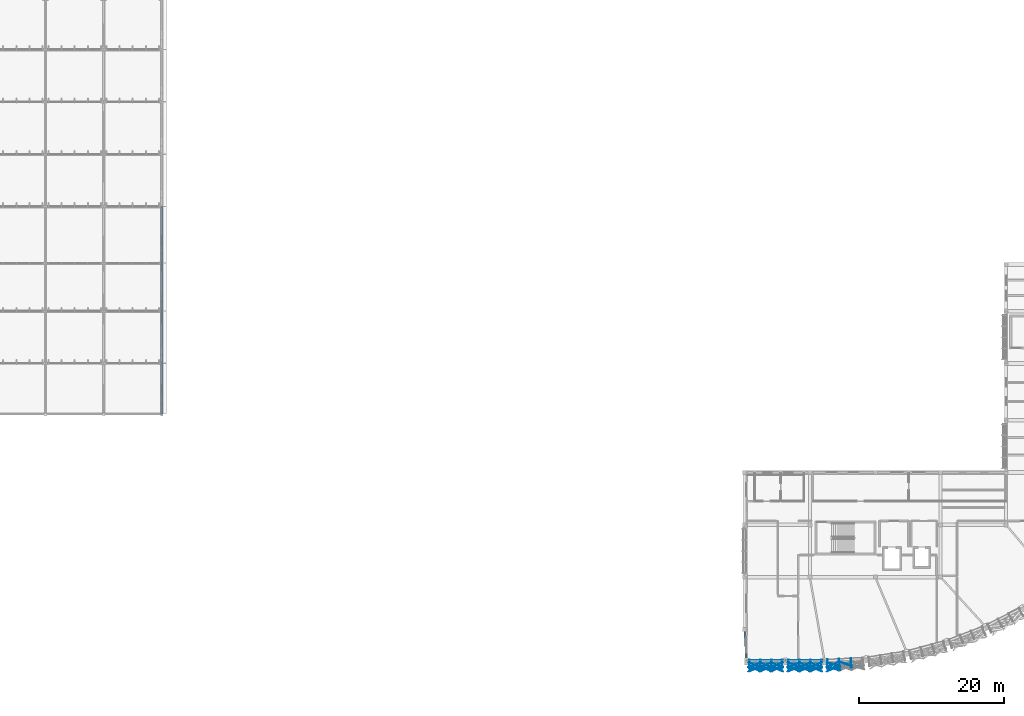
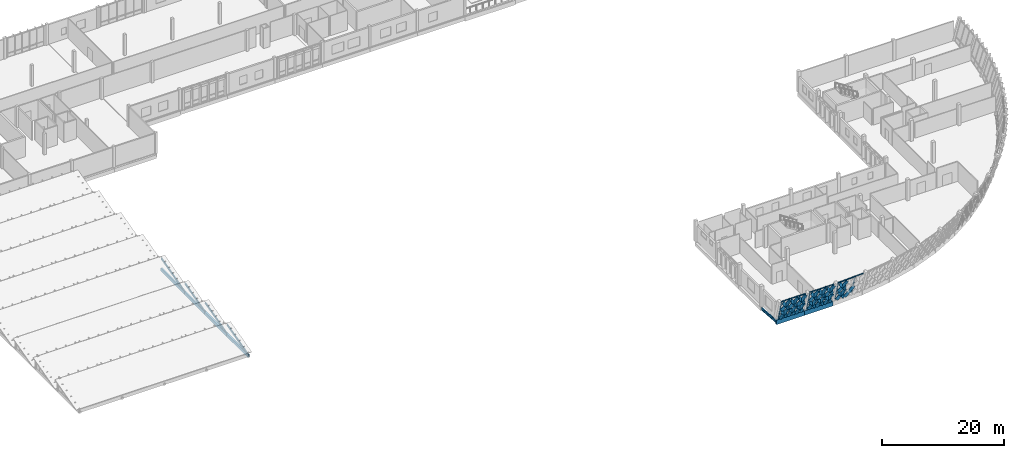
# One storey, part 20 of 94: 55 members, 3 beams, 3 elements without a shape of their own.
"""IFC4 building model written with IfcOpenShell, lengths in metres."""

from ifc_helpers import new_model, si_unit, direction, frame, origin, origin_2d, place, context, subcontext, project, spatial, rectangle, hollow_rectangle, i_section, extrude, material, material_profile, profile_set, type_object, element, aggregate, save


model = new_model("IFC4")

# Units and contexts
model_context = context("Model", 3, precision=1e-05, world=origin(), true_north=direction((0.0, 1.0)))
body_context = subcontext(model_context, "Body", "Model", "MODEL_VIEW")
ifc_project = project(units=[si_unit("LENGTHUNIT", "METRE"), si_unit("AREAUNIT", "SQUARE_METRE"), si_unit("VOLUMEUNIT", "CUBIC_METRE"), si_unit("PLANEANGLEUNIT", "RADIAN"), si_unit("MASSUNIT", "GRAM", prefix="KILO")], contexts=[model_context])

# Site, building, storey
site_placement = place(None, origin())
site = spatial("IfcSite", under=ifc_project, at=site_placement, CompositionType="ELEMENT")
building_placement = place(site_placement, origin())
building = spatial("IfcBuilding", under=site, at=building_placement, Name="Chiffa Square Polytechnic", CompositionType="ELEMENT")
storey_placement = place(building_placement, frame((0.0, 0.0, 18.0)))
storey = spatial("IfcBuildingStorey", under=building, at=storey_placement, Name="L04", CompositionType="ELEMENT", Elevation=18.0)

# Beam
ifc_material_1 = material(Name="Steel S355", Category="steel")
ifc_material_profile_1 = material_profile(ifc_material_1, i_section(OverallWidth=0.199951171875, OverallDepth=0.5, WebThickness=0.01025390625, FlangeThickness=0.01611328125, FilletRadius=0.02099609375, at=origin_2d()), Name="IPE 500")
ifc_profile_set_1 = profile_set([ifc_material_profile_1], Name="Steel S355")
beam_type_1 = type_object("IfcBeamType", Name="BM-STL-IPE500", PredefinedType="BEAM", material=ifc_profile_set_1)
beam_placement = place(storey_placement, frame((112.449951171875, 2.972900390625, -0.489990234375), z_axis=(-0.059039723308, 0.99825563413, 0.0), x_axis=(-0.99825563413, -0.059039723308, 0.0)))
element("IfcBeam", 1, at=beam_placement, inside=storey, type_object=beam_type_1, Name="Prow radial tie girder BM-V1-RAD-L04-01", PredefinedType="BEAM", context=body_context, shape_type="SweptSolid", body=[
    extrude(i_section(OverallWidth=0.199951171875, OverallDepth=0.5, WebThickness=0.01025390625, FlangeThickness=0.01611328125, FilletRadius=0.02099609375, at=origin_2d()), origin(), (0.0, 0.0, 1.0), 4.234375),
])

# Curtain wall, members
ifc_material_2 = material(Name="Aluminium EN AW-6060 T66 and glulam shading", Category="wood")
curtain_wall_type_1 = type_object("IfcCurtainWallType", Name="CW-PROW-LEAN-150", PredefinedType="USERDEFINED", material=ifc_material_2)
curtain_wall_1_placement = place(storey_placement, origin())
curtain_wall_1 = element("IfcCurtainWall", 2, at=curtain_wall_1_placement, inside=storey, type_object=curtain_wall_type_1, Name="Outward-leaning diamond-fin prow curtain wall CW-V1-L04-061", ObjectType="CURTAIN WALL", PredefinedType="USERDEFINED")
ifc_material_3 = material(Name="Aluminium EN AW-6060 T66", Category="aluminium")
ifc_material_profile_2 = material_profile(ifc_material_3, hollow_rectangle(XDim=0.06494140625, YDim=0.179931640625, WallThickness=0.00390625, at=origin_2d()), Name="ALU 65x180x4")
ifc_profile_set_2 = profile_set([ifc_material_profile_2], Name="Aluminium EN AW-6060 T66")
member_type_1 = type_object("IfcMemberType", Name="CWM-ALU-75X180", PredefinedType="MULLION", material=ifc_profile_set_2)
member_1_placement = place(storey_placement, frame((112.8798828125, 2.972900390625, 0.0), z_axis=(0.0, -0.272302676243, 0.962211646422), x_axis=(1.0, 0.0, 0.0)))
member_1 = element("IfcMember", 3, at=member_1_placement, type_object=member_type_1, Name="Leaning prow mullion CW-V1-L04-061-M00", PredefinedType="MULLION", context=body_context, shape_type="SweptSolid", body=[
    extrude(hollow_rectangle(XDim=0.06494140625, YDim=0.179931640625, WallThickness=0.00390625, at=origin_2d()), origin(), (0.0, 0.0, 1.0), 4.0947265625),
])
member_2_placement = place(storey_placement, frame((114.385009765625, 2.972900390625, 0.0), z_axis=(0.0, -0.272302676243, 0.962211646422), x_axis=(1.0, 0.0, 0.0)))
member_2 = element("IfcMember", 4, at=member_2_placement, type_object=member_type_1, Name="Leaning prow mullion CW-V1-L04-061-M01", PredefinedType="MULLION", context=body_context, shape_type="SweptSolid", body=[
    extrude(hollow_rectangle(XDim=0.06494140625, YDim=0.179931640625, WallThickness=0.00390625, at=origin_2d()), origin(), (0.0, 0.0, 1.0), 4.0947265625),
])
member_3_placement = place(storey_placement, frame((115.889892578125, 2.972900390625, 0.0), z_axis=(0.0, -0.272302676243, 0.962211646422), x_axis=(1.0, 0.0, 0.0)))
member_3 = element("IfcMember", 5, at=member_3_placement, type_object=member_type_1, Name="Leaning prow mullion CW-V1-L04-061-M02", PredefinedType="MULLION", context=body_context, shape_type="SweptSolid", body=[
    extrude(hollow_rectangle(XDim=0.06494140625, YDim=0.179931640625, WallThickness=0.00390625, at=origin_2d()), origin(), (0.0, 0.0, 1.0), 4.0947265625),
])
member_4_placement = place(storey_placement, frame((117.39501953125, 2.972900390625, 0.0), z_axis=(0.0, -0.272302676243, 0.962211646422), x_axis=(1.0, 0.0, 0.0)))
member_4 = element("IfcMember", 6, at=member_4_placement, type_object=member_type_1, Name="Leaning prow mullion CW-V1-L04-061-M03", PredefinedType="MULLION", context=body_context, shape_type="SweptSolid", body=[
    extrude(hollow_rectangle(XDim=0.06494140625, YDim=0.179931640625, WallThickness=0.00390625, at=origin_2d()), origin(), (0.0, 0.0, 1.0), 4.0947265625),
])

curtain_wall_type_2 = type_object("IfcCurtainWallType", Name="CW-PROW-LEAN-300", PredefinedType="USERDEFINED", material=ifc_material_2)
curtain_wall_2_placement = place(storey_placement, origin())
curtain_wall_2 = element("IfcCurtainWall", 7, at=curtain_wall_2_placement, inside=storey, type_object=curtain_wall_type_2, Name="Outward-leaning diamond-fin prow curtain wall CW-V1-L04-062", ObjectType="CURTAIN WALL", PredefinedType="USERDEFINED")
member_5_placement = place(storey_placement, frame((118.2548828125, 2.972900390625, 0.0), z_axis=(0.0, -0.272302676243, 0.962211646422), x_axis=(1.0, 0.0, 0.0)))
member_5 = element("IfcMember", 8, at=member_5_placement, type_object=member_type_1, Name="Leaning prow mullion CW-V1-L04-062-M00", PredefinedType="MULLION", context=body_context, shape_type="SweptSolid", body=[
    extrude(hollow_rectangle(XDim=0.06494140625, YDim=0.179931640625, WallThickness=0.00390625, at=origin_2d()), origin(), (0.0, 0.0, 1.0), 4.0947265625),
])
member_6_placement = place(storey_placement, frame((119.760009765625, 2.972900390625, 0.0), z_axis=(0.0, -0.272302676243, 0.962211646422), x_axis=(1.0, 0.0, 0.0)))
member_6 = element("IfcMember", 9, at=member_6_placement, type_object=member_type_1, Name="Leaning prow mullion CW-V1-L04-062-M01", PredefinedType="MULLION", context=body_context, shape_type="SweptSolid", body=[
    extrude(hollow_rectangle(XDim=0.06494140625, YDim=0.179931640625, WallThickness=0.00390625, at=origin_2d()), origin(), (0.0, 0.0, 1.0), 4.0947265625),
])
member_7_placement = place(storey_placement, frame((121.264892578125, 2.972900390625, 0.0), z_axis=(0.0, -0.272302676243, 0.962211646422), x_axis=(1.0, 0.0, 0.0)))
member_7 = element("IfcMember", 10, at=member_7_placement, type_object=member_type_1, Name="Leaning prow mullion CW-V1-L04-062-M02", PredefinedType="MULLION", context=body_context, shape_type="SweptSolid", body=[
    extrude(hollow_rectangle(XDim=0.06494140625, YDim=0.179931640625, WallThickness=0.00390625, at=origin_2d()), origin(), (0.0, 0.0, 1.0), 4.0947265625),
])
member_8_placement = place(storey_placement, frame((122.77001953125, 2.972900390625, 0.0), z_axis=(0.0, -0.272302676243, 0.962211646422), x_axis=(1.0, 0.0, 0.0)))
member_8 = element("IfcMember", 11, at=member_8_placement, type_object=member_type_1, Name="Leaning prow mullion CW-V1-L04-062-M03", PredefinedType="MULLION", context=body_context, shape_type="SweptSolid", body=[
    extrude(hollow_rectangle(XDim=0.06494140625, YDim=0.179931640625, WallThickness=0.00390625, at=origin_2d()), origin(), (0.0, 0.0, 1.0), 4.0947265625),
])

curtain_wall_3_placement = place(storey_placement, origin())
curtain_wall_3 = element("IfcCurtainWall", 12, at=curtain_wall_3_placement, inside=storey, type_object=curtain_wall_type_1, Name="Outward-leaning diamond-fin prow curtain wall CW-V1-L04-063", ObjectType="CURTAIN WALL", PredefinedType="USERDEFINED")
member_9_placement = place(storey_placement, frame((123.62890625, 2.99609375, 0.0), z_axis=(0.0, -0.272302676243, 0.962211646422), x_axis=(1.0, 0.0, 0.0)))
member_9 = element("IfcMember", 13, at=member_9_placement, type_object=member_type_1, Name="Leaning prow mullion CW-V1-L04-063-M00", PredefinedType="MULLION", context=body_context, shape_type="SweptSolid", body=[
    extrude(hollow_rectangle(XDim=0.06494140625, YDim=0.179931640625, WallThickness=0.00390625, at=origin_2d()), origin(), (0.0, 0.0, 1.0), 4.0947265625),
])
member_10_placement = place(storey_placement, frame((125.23779296875, 3.080078125, 0.0), z_axis=(0.00942139205, -0.271848900992, 0.962293828517), x_axis=(0.999399996216, 0.034635928801, 0.0)))
member_10 = element("IfcMember", 14, at=member_10_placement, type_object=member_type_1, Name="Leaning prow mullion CW-V1-L04-063-M01", PredefinedType="MULLION", context=body_context, shape_type="SweptSolid", body=[
    extrude(hollow_rectangle(XDim=0.06494140625, YDim=0.179931640625, WallThickness=0.00390625, at=origin_2d()), origin(), (0.0, 0.0, 1.0), 4.09423828125),
])
member_11_placement = place(storey_placement, frame((126.84619140625, 3.1640625, 0.0), z_axis=(0.018902324279, -0.271370592416, 0.962289303541), x_axis=(0.997582881059, 0.069486656404, 0.0)))
member_11 = element("IfcMember", 15, at=member_11_placement, type_object=member_type_1, Name="Leaning prow mullion CW-V1-L04-063-M02", PredefinedType="MULLION", context=body_context, shape_type="SweptSolid", body=[
    extrude(hollow_rectangle(XDim=0.06494140625, YDim=0.179931640625, WallThickness=0.00390625, at=origin_2d()), origin(), (0.0, 0.0, 1.0), 4.09423828125),
])

# Member
ifc_material_4 = material(Name="Glulam GL28h", Category="wood")
ifc_material_profile_3 = material_profile(ifc_material_4, rectangle(XDim=0.080078125, YDim=0.580078125, at=origin_2d()), Name="GL28h 80x580")
ifc_profile_set_3 = profile_set([ifc_material_profile_3], Name="Glulam GL28h")
member_type_2 = type_object("IfcMemberType", Name="CWM-GL-80X580", PredefinedType="MULLION", material=ifc_profile_set_3)
member_12_placement = place(storey_placement, frame((112.962890625, 2.5869140625, 0.0400390625), z_axis=(0.555277016015, -0.226362699692, 0.800267057721), x_axis=(0.377495299049, 0.926011500574, 0.0)))
member_12 = element("IfcMember", 16, at=member_12_placement, type_object=member_type_2, Name="Diamond glulam fin CW-V1-L04-061-DF01A", PredefinedType="MULLION", context=body_context, shape_type="SweptSolid", body=[
    extrude(rectangle(XDim=0.080078125, YDim=0.580078125, at=origin_2d()), origin(), (0.0, 0.0, 1.0), 2.41162109375),
])

member_13_placement = place(storey_placement, frame((114.302001953125, 2.5869140625, 0.0400390625), z_axis=(-0.555277016015, -0.226362699692, 0.800267057721), x_axis=(0.377495299049, -0.926011500574, 0.0)))
member_13 = element("IfcMember", 17, at=member_13_placement, type_object=member_type_2, Name="Diamond glulam fin CW-V1-L04-061-DF01B", PredefinedType="MULLION", context=body_context, shape_type="SweptSolid", body=[
    extrude(rectangle(XDim=0.080078125, YDim=0.580078125, at=origin_2d()), origin(), (0.0, 0.0, 1.0), 2.41162109375),
])

member_14_placement = place(storey_placement, frame((112.962890625, 2.041015625, 1.969970703125), z_axis=(0.555213332326, -0.226842858294, 0.800175276579), x_axis=(0.378218792883, 0.925716233362, 0.0)))
member_14 = element("IfcMember", 18, at=member_14_placement, type_object=member_type_2, Name="Diamond glulam fin CW-V1-L04-061-DF02A", PredefinedType="MULLION", context=body_context, shape_type="SweptSolid", body=[
    extrude(rectangle(XDim=0.080078125, YDim=0.580078125, at=origin_2d()), origin(), (0.0, 0.0, 1.0), 2.411865234375),
])

member_15_placement = place(storey_placement, frame((114.302001953125, 2.041015625, 1.969970703125), z_axis=(-0.555213332326, -0.226842858294, 0.800175276579), x_axis=(0.378218792883, -0.925716233362, 0.0)))
member_15 = element("IfcMember", 19, at=member_15_placement, type_object=member_type_2, Name="Diamond glulam fin CW-V1-L04-061-DF02B", PredefinedType="MULLION", context=body_context, shape_type="SweptSolid", body=[
    extrude(rectangle(XDim=0.080078125, YDim=0.580078125, at=origin_2d()), origin(), (0.0, 0.0, 1.0), 2.411865234375),
])

member_16_placement = place(storey_placement, frame((114.468017578125, 2.5869140625, 0.0400390625), z_axis=(0.555206988774, -0.226375424307, 0.800312043447), x_axis=(0.377554323225, 0.925987436747, 0.0)))
member_16 = element("IfcMember", 20, at=member_16_placement, type_object=member_type_2, Name="Diamond glulam fin CW-V1-L04-061-DF03A", PredefinedType="MULLION", context=body_context, shape_type="SweptSolid", body=[
    extrude(rectangle(XDim=0.080078125, YDim=0.580078125, at=origin_2d()), origin(), (0.0, 0.0, 1.0), 2.411376953125),
])

member_17_placement = place(storey_placement, frame((115.806884765625, 2.5869140625, 0.0400390625), z_axis=(-0.555206988774, -0.226375424307, 0.800312043447), x_axis=(0.377554323225, -0.925987436747, 0.0)))
member_17 = element("IfcMember", 21, at=member_17_placement, type_object=member_type_2, Name="Diamond glulam fin CW-V1-L04-061-DF03B", PredefinedType="MULLION", context=body_context, shape_type="SweptSolid", body=[
    extrude(rectangle(XDim=0.080078125, YDim=0.580078125, at=origin_2d()), origin(), (0.0, 0.0, 1.0), 2.411376953125),
])

member_18_placement = place(storey_placement, frame((114.468017578125, 2.041015625, 1.969970703125), z_axis=(0.555143305959, -0.226855606975, 0.800220246828), x_axis=(0.378277892467, 0.925692084913, 0.0)))
member_18 = element("IfcMember", 22, at=member_18_placement, type_object=member_type_2, Name="Diamond glulam fin CW-V1-L04-061-DF04A", PredefinedType="MULLION", context=body_context, shape_type="SweptSolid", body=[
    extrude(rectangle(XDim=0.080078125, YDim=0.580078125, at=origin_2d()), origin(), (0.0, 0.0, 1.0), 2.411865234375),
])

member_19_placement = place(storey_placement, frame((115.806884765625, 2.041015625, 1.969970703125), z_axis=(-0.555143305959, -0.226855606975, 0.800220246828), x_axis=(0.378277892467, -0.925692084913, 0.0)))
member_19 = element("IfcMember", 23, at=member_19_placement, type_object=member_type_2, Name="Diamond glulam fin CW-V1-L04-061-DF04B", PredefinedType="MULLION", context=body_context, shape_type="SweptSolid", body=[
    extrude(rectangle(XDim=0.080078125, YDim=0.580078125, at=origin_2d()), origin(), (0.0, 0.0, 1.0), 2.411865234375),
])

member_20_placement = place(storey_placement, frame((115.972900390625, 2.5869140625, 0.0400390625), z_axis=(0.555277016015, -0.226362699692, 0.800267057721), x_axis=(0.377495299049, 0.926011500574, 0.0)))
member_20 = element("IfcMember", 24, at=member_20_placement, type_object=member_type_2, Name="Diamond glulam fin CW-V1-L04-061-DF05A", PredefinedType="MULLION", context=body_context, shape_type="SweptSolid", body=[
    extrude(rectangle(XDim=0.080078125, YDim=0.580078125, at=origin_2d()), origin(), (0.0, 0.0, 1.0), 2.41162109375),
])

member_21_placement = place(storey_placement, frame((117.31201171875, 2.5869140625, 0.0400390625), z_axis=(-0.555277016015, -0.226362699692, 0.800267057721), x_axis=(0.377495299049, -0.926011500574, 0.0)))
member_21 = element("IfcMember", 25, at=member_21_placement, type_object=member_type_2, Name="Diamond glulam fin CW-V1-L04-061-DF05B", PredefinedType="MULLION", context=body_context, shape_type="SweptSolid", body=[
    extrude(rectangle(XDim=0.080078125, YDim=0.580078125, at=origin_2d()), origin(), (0.0, 0.0, 1.0), 2.41162109375),
])

member_22_placement = place(storey_placement, frame((115.972900390625, 2.041015625, 1.969970703125), z_axis=(0.555213332326, -0.226842858294, 0.800175276579), x_axis=(0.378218792883, 0.925716233362, 0.0)))
member_22 = element("IfcMember", 26, at=member_22_placement, type_object=member_type_2, Name="Diamond glulam fin CW-V1-L04-061-DF06A", PredefinedType="MULLION", context=body_context, shape_type="SweptSolid", body=[
    extrude(rectangle(XDim=0.080078125, YDim=0.580078125, at=origin_2d()), origin(), (0.0, 0.0, 1.0), 2.411865234375),
])

member_23_placement = place(storey_placement, frame((117.31201171875, 2.041015625, 1.969970703125), z_axis=(-0.555213332326, -0.226842858294, 0.800175276579), x_axis=(0.378218792883, -0.925716233362, 0.0)))
member_23 = element("IfcMember", 27, at=member_23_placement, type_object=member_type_2, Name="Diamond glulam fin CW-V1-L04-061-DF06B", PredefinedType="MULLION", context=body_context, shape_type="SweptSolid", body=[
    extrude(rectangle(XDim=0.080078125, YDim=0.580078125, at=origin_2d()), origin(), (0.0, 0.0, 1.0), 2.411865234375),
])

member_24_placement = place(storey_placement, frame((118.337890625, 2.5869140625, 0.0400390625), z_axis=(0.555277016015, -0.226362699692, 0.800267057721), x_axis=(0.377495299049, 0.926011500574, 0.0)))
member_24 = element("IfcMember", 28, at=member_24_placement, type_object=member_type_2, Name="Diamond glulam fin CW-V1-L04-062-DF01A", PredefinedType="MULLION", context=body_context, shape_type="SweptSolid", body=[
    extrude(rectangle(XDim=0.080078125, YDim=0.580078125, at=origin_2d()), origin(), (0.0, 0.0, 1.0), 2.41162109375),
])

member_25_placement = place(storey_placement, frame((119.677001953125, 2.5869140625, 0.0400390625), z_axis=(-0.555277016015, -0.226362699692, 0.800267057721), x_axis=(0.377495299049, -0.926011500574, 0.0)))
member_25 = element("IfcMember", 29, at=member_25_placement, type_object=member_type_2, Name="Diamond glulam fin CW-V1-L04-062-DF01B", PredefinedType="MULLION", context=body_context, shape_type="SweptSolid", body=[
    extrude(rectangle(XDim=0.080078125, YDim=0.580078125, at=origin_2d()), origin(), (0.0, 0.0, 1.0), 2.41162109375),
])

member_26_placement = place(storey_placement, frame((118.337890625, 2.041015625, 1.969970703125), z_axis=(0.555213332326, -0.226842858294, 0.800175276579), x_axis=(0.378218792883, 0.925716233362, 0.0)))
member_26 = element("IfcMember", 30, at=member_26_placement, type_object=member_type_2, Name="Diamond glulam fin CW-V1-L04-062-DF02A", PredefinedType="MULLION", context=body_context, shape_type="SweptSolid", body=[
    extrude(rectangle(XDim=0.080078125, YDim=0.580078125, at=origin_2d()), origin(), (0.0, 0.0, 1.0), 2.411865234375),
])

member_27_placement = place(storey_placement, frame((119.677001953125, 2.041015625, 1.969970703125), z_axis=(-0.555213332326, -0.226842858294, 0.800175276579), x_axis=(0.378218792883, -0.925716233362, 0.0)))
member_27 = element("IfcMember", 31, at=member_27_placement, type_object=member_type_2, Name="Diamond glulam fin CW-V1-L04-062-DF02B", PredefinedType="MULLION", context=body_context, shape_type="SweptSolid", body=[
    extrude(rectangle(XDim=0.080078125, YDim=0.580078125, at=origin_2d()), origin(), (0.0, 0.0, 1.0), 2.411865234375),
])

member_28_placement = place(storey_placement, frame((119.843017578125, 2.5869140625, 0.0400390625), z_axis=(0.555206988774, -0.226375424307, 0.800312043447), x_axis=(0.377554323225, 0.925987436747, 0.0)))
member_28 = element("IfcMember", 32, at=member_28_placement, type_object=member_type_2, Name="Diamond glulam fin CW-V1-L04-062-DF03A", PredefinedType="MULLION", context=body_context, shape_type="SweptSolid", body=[
    extrude(rectangle(XDim=0.080078125, YDim=0.580078125, at=origin_2d()), origin(), (0.0, 0.0, 1.0), 2.411376953125),
])

member_29_placement = place(storey_placement, frame((121.181884765625, 2.5869140625, 0.0400390625), z_axis=(-0.555206988774, -0.226375424307, 0.800312043447), x_axis=(0.377554323225, -0.925987436747, 0.0)))
member_29 = element("IfcMember", 33, at=member_29_placement, type_object=member_type_2, Name="Diamond glulam fin CW-V1-L04-062-DF03B", PredefinedType="MULLION", context=body_context, shape_type="SweptSolid", body=[
    extrude(rectangle(XDim=0.080078125, YDim=0.580078125, at=origin_2d()), origin(), (0.0, 0.0, 1.0), 2.411376953125),
])

member_30_placement = place(storey_placement, frame((119.843017578125, 2.041015625, 1.969970703125), z_axis=(0.555143305959, -0.226855606975, 0.800220246828), x_axis=(0.378277892467, 0.925692084913, 0.0)))
member_30 = element("IfcMember", 34, at=member_30_placement, type_object=member_type_2, Name="Diamond glulam fin CW-V1-L04-062-DF04A", PredefinedType="MULLION", context=body_context, shape_type="SweptSolid", body=[
    extrude(rectangle(XDim=0.080078125, YDim=0.580078125, at=origin_2d()), origin(), (0.0, 0.0, 1.0), 2.411865234375),
])

member_31_placement = place(storey_placement, frame((121.181884765625, 2.041015625, 1.969970703125), z_axis=(-0.555143305959, -0.226855606975, 0.800220246828), x_axis=(0.378277892467, -0.925692084913, 0.0)))
member_31 = element("IfcMember", 35, at=member_31_placement, type_object=member_type_2, Name="Diamond glulam fin CW-V1-L04-062-DF04B", PredefinedType="MULLION", context=body_context, shape_type="SweptSolid", body=[
    extrude(rectangle(XDim=0.080078125, YDim=0.580078125, at=origin_2d()), origin(), (0.0, 0.0, 1.0), 2.411865234375),
])

member_32_placement = place(storey_placement, frame((121.347900390625, 2.5869140625, 0.0400390625), z_axis=(0.555277016015, -0.226362699692, 0.800267057721), x_axis=(0.377495299049, 0.926011500574, 0.0)))
member_32 = element("IfcMember", 36, at=member_32_placement, type_object=member_type_2, Name="Diamond glulam fin CW-V1-L04-062-DF05A", PredefinedType="MULLION", context=body_context, shape_type="SweptSolid", body=[
    extrude(rectangle(XDim=0.080078125, YDim=0.580078125, at=origin_2d()), origin(), (0.0, 0.0, 1.0), 2.41162109375),
])

member_33_placement = place(storey_placement, frame((122.68701171875, 2.5869140625, 0.0400390625), z_axis=(-0.555277016015, -0.226362699692, 0.800267057721), x_axis=(0.377495299049, -0.926011500574, 0.0)))
member_33 = element("IfcMember", 37, at=member_33_placement, type_object=member_type_2, Name="Diamond glulam fin CW-V1-L04-062-DF05B", PredefinedType="MULLION", context=body_context, shape_type="SweptSolid", body=[
    extrude(rectangle(XDim=0.080078125, YDim=0.580078125, at=origin_2d()), origin(), (0.0, 0.0, 1.0), 2.41162109375),
])

member_34_placement = place(storey_placement, frame((121.347900390625, 2.041015625, 1.969970703125), z_axis=(0.555213332326, -0.226842858294, 0.800175276579), x_axis=(0.378218792883, 0.925716233362, 0.0)))
member_34 = element("IfcMember", 38, at=member_34_placement, type_object=member_type_2, Name="Diamond glulam fin CW-V1-L04-062-DF06A", PredefinedType="MULLION", context=body_context, shape_type="SweptSolid", body=[
    extrude(rectangle(XDim=0.080078125, YDim=0.580078125, at=origin_2d()), origin(), (0.0, 0.0, 1.0), 2.411865234375),
])

member_35_placement = place(storey_placement, frame((122.68701171875, 2.041015625, 1.969970703125), z_axis=(-0.555213332326, -0.226842858294, 0.800175276579), x_axis=(0.378218792883, -0.925716233362, 0.0)))
member_35 = element("IfcMember", 39, at=member_35_placement, type_object=member_type_2, Name="Diamond glulam fin CW-V1-L04-062-DF06B", PredefinedType="MULLION", context=body_context, shape_type="SweptSolid", body=[
    extrude(rectangle(XDim=0.080078125, YDim=0.580078125, at=origin_2d()), origin(), (0.0, 0.0, 1.0), 2.411865234375),
])

member_36_placement = place(storey_placement, frame((123.737060546875, 2.614990234375, 0.0400390625), z_axis=(0.589548138213, -0.191486505912, 0.784707532004), x_axis=(0.269432780723, 0.962472617481, 0.032441289615)))
member_36 = element("IfcMember", 40, at=member_36_placement, type_object=member_type_2, Name="Diamond glulam fin CW-V1-L04-063-DF01A", PredefinedType="MULLION", context=body_context, shape_type="SweptSolid", body=[
    extrude(rectangle(XDim=0.080078125, YDim=0.580078125, at=origin_2d()), origin(), (0.0, 0.0, 1.0), 2.45947265625),
])

member_37_placement = place(storey_placement, frame((125.1689453125, 2.68994140625, 0.0400390625), z_axis=(-0.576642219432, -0.250196410854, 0.777743856784), x_axis=(0.43482861703, -0.899912126012, 0.032897405182)))
member_37 = element("IfcMember", 41, at=member_37_placement, type_object=member_type_2, Name="Diamond glulam fin CW-V1-L04-063-DF01B", PredefinedType="MULLION", context=body_context, shape_type="SweptSolid", body=[
    extrude(rectangle(XDim=0.080078125, YDim=0.580078125, at=origin_2d()), origin(), (0.0, 0.0, 1.0), 2.4814453125),
])

member_38_placement = place(storey_placement, frame((123.738037109375, 2.069091796875, 1.969970703125), z_axis=(0.594098683877, -0.190321179308, 0.781552686978), x_axis=(0.265709078724, 0.963500240638, 0.032649223172)))
member_38 = element("IfcMember", 42, at=member_38_placement, type_object=member_type_2, Name="Diamond glulam fin CW-V1-L04-063-DF02A", PredefinedType="MULLION", context=body_context, shape_type="SweptSolid", body=[
    extrude(rectangle(XDim=0.080078125, YDim=0.580078125, at=origin_2d()), origin(), (0.0, 0.0, 1.0), 2.46923828125),
])

member_39_placement = place(storey_placement, frame((125.18701171875, 2.14404296875, 1.969970703125), z_axis=(-0.581197700542, -0.249294714244, 0.774636287773), x_axis=(0.430918048099, -0.901783889308, 0.033097625411)))
member_39 = element("IfcMember", 43, at=member_39_placement, type_object=member_type_2, Name="Diamond glulam fin CW-V1-L04-063-DF02B", PredefinedType="MULLION", context=body_context, shape_type="SweptSolid", body=[
    extrude(rectangle(XDim=0.080078125, YDim=0.580078125, at=origin_2d()), origin(), (0.0, 0.0, 1.0), 2.491455078125),
])

member_40_placement = place(storey_placement, frame((125.345947265625, 2.698974609375, 0.0400390625), z_axis=(0.594610101772, -0.190231751024, 0.781185450308), x_axis=(0.265355130735, 0.963596964966, 0.032673287277)))
member_40 = element("IfcMember", 44, at=member_40_placement, type_object=member_type_2, Name="Diamond glulam fin CW-V1-L04-063-DF03A", PredefinedType="MULLION", context=body_context, shape_type="SweptSolid", body=[
    extrude(rectangle(XDim=0.080078125, YDim=0.580078125, at=origin_2d()), origin(), (0.0, 0.0, 1.0), 2.470458984375),
])

ifc_material_profile_4 = material_profile(ifc_material_3, hollow_rectangle(XDim=0.06494140625, YDim=0.139892578125, WallThickness=0.00390625, at=origin_2d()), Name="ALU 65x140x4")
ifc_profile_set_4 = profile_set([ifc_material_profile_4], Name="Aluminium EN AW-6060 T66")
member_type_3 = type_object("IfcMemberType", Name="CWT-ALU-75X140", PredefinedType="USERDEFINED", material=ifc_profile_set_4)
member_41_placement = place(storey_placement, frame((112.8798828125, 2.961669921875, 0.0400390625), z_axis=(1.0, 0.0, 0.0), x_axis=(0.0, 1.0, 0.0)))
member_41 = element("IfcMember", 45, at=member_41_placement, type_object=member_type_3, Name="Leaning prow transom CW-V1-L04-061-T01", ObjectType="TRANSOM", PredefinedType="USERDEFINED", context=body_context, shape_type="SweptSolid", body=[
    extrude(hollow_rectangle(XDim=0.06494140625, YDim=0.139892578125, WallThickness=0.00390625, at=origin_2d()), origin(), (0.0, 0.0, 1.0), 4.51513671875),
])

member_42_placement = place(storey_placement, frame((112.8798828125, 2.732421875, 0.85009765625), z_axis=(1.0, 0.0, 0.0), x_axis=(0.0, 1.0, 0.0)))
member_42 = element("IfcMember", 46, at=member_42_placement, type_object=member_type_3, Name="Leaning prow transom CW-V1-L04-061-T02", ObjectType="TRANSOM", PredefinedType="USERDEFINED", context=body_context, shape_type="SweptSolid", body=[
    extrude(hollow_rectangle(XDim=0.06494140625, YDim=0.139892578125, WallThickness=0.00390625, at=origin_2d()), origin(), (0.0, 0.0, 1.0), 4.51513671875),
])

member_43_placement = place(storey_placement, frame((112.8798828125, 1.869384765625, 3.89990234375), z_axis=(1.0, 0.0, 0.0), x_axis=(0.0, 1.0, 0.0)))
member_43 = element("IfcMember", 47, at=member_43_placement, type_object=member_type_3, Name="Leaning prow transom CW-V1-L04-061-T03", ObjectType="TRANSOM", PredefinedType="USERDEFINED", context=body_context, shape_type="SweptSolid", body=[
    extrude(hollow_rectangle(XDim=0.06494140625, YDim=0.139892578125, WallThickness=0.00390625, at=origin_2d()), origin(), (0.0, 0.0, 1.0), 4.51513671875),
])

aggregate(curtain_wall_1, [member_1, member_2, member_3, member_4, member_41, member_42, member_43, member_12, member_13, member_14, member_15, member_16, member_17, member_18, member_19, member_20, member_21, member_22, member_23])

member_44_placement = place(storey_placement, frame((118.2548828125, 2.961669921875, 0.0400390625), z_axis=(1.0, 0.0, 0.0), x_axis=(0.0, 1.0, 0.0)))
member_44 = element("IfcMember", 48, at=member_44_placement, type_object=member_type_3, Name="Leaning prow transom CW-V1-L04-062-T01", ObjectType="TRANSOM", PredefinedType="USERDEFINED", context=body_context, shape_type="SweptSolid", body=[
    extrude(hollow_rectangle(XDim=0.06494140625, YDim=0.139892578125, WallThickness=0.00390625, at=origin_2d()), origin(), (0.0, 0.0, 1.0), 4.51513671875),
])

member_45_placement = place(storey_placement, frame((118.2548828125, 2.732421875, 0.85009765625), z_axis=(1.0, 0.0, 0.0), x_axis=(0.0, 1.0, 0.0)))
member_45 = element("IfcMember", 49, at=member_45_placement, type_object=member_type_3, Name="Leaning prow transom CW-V1-L04-062-T02", ObjectType="TRANSOM", PredefinedType="USERDEFINED", context=body_context, shape_type="SweptSolid", body=[
    extrude(hollow_rectangle(XDim=0.06494140625, YDim=0.139892578125, WallThickness=0.00390625, at=origin_2d()), origin(), (0.0, 0.0, 1.0), 4.51513671875),
])

member_46_placement = place(storey_placement, frame((118.2548828125, 1.869384765625, 3.89990234375), z_axis=(1.0, 0.0, 0.0), x_axis=(0.0, 1.0, 0.0)))
member_46 = element("IfcMember", 50, at=member_46_placement, type_object=member_type_3, Name="Leaning prow transom CW-V1-L04-062-T03", ObjectType="TRANSOM", PredefinedType="USERDEFINED", context=body_context, shape_type="SweptSolid", body=[
    extrude(hollow_rectangle(XDim=0.06494140625, YDim=0.139892578125, WallThickness=0.00390625, at=origin_2d()), origin(), (0.0, 0.0, 1.0), 4.51513671875),
])

aggregate(curtain_wall_2, [member_5, member_6, member_7, member_8, member_44, member_45, member_46, member_24, member_25, member_26, member_27, member_28, member_29, member_30, member_31, member_32, member_33, member_34, member_35])

member_47_placement = place(storey_placement, frame((123.62890625, 1.892333984375, 3.89990234375), z_axis=(0.998638876918, 0.052157391684, 0.0), x_axis=(-0.052157391684, 0.998638876918, 0.0)))
member_47 = element("IfcMember", 51, at=member_47_placement, type_object=member_type_3, Name="Leaning prow transom CW-V1-L04-063-T03", ObjectType="TRANSOM", PredefinedType="USERDEFINED", context=body_context, shape_type="SweptSolid", body=[
    extrude(hollow_rectangle(XDim=0.06494140625, YDim=0.139892578125, WallThickness=0.00390625, at=origin_2d()), origin(), (0.0, 0.0, 1.0), 4.94775390625),
])

aggregate(curtain_wall_3, [member_9, member_10, member_11, member_47, member_36, member_37, member_38, member_39, member_40])

# Members
ifc_material_5 = material(Name="Glulam GL32c", Category="wood")
ifc_material_profile_5 = material_profile(ifc_material_5, rectangle(XDim=0.320068359375, YDim=0.60009765625, at=origin_2d()), Name="GL32c 320x600")
ifc_profile_set_5 = profile_set([ifc_material_profile_5], Name="Glulam GL32c")
member_type_4 = type_object("IfcMemberType", Name="MEM-CHORD-GL320", PredefinedType="CHORD", material=ifc_profile_set_5)
member_48_placement = place(storey_placement, frame((32.0, 36.75, 0.179931640625), z_axis=(0.0, 1.0, 0.0), x_axis=(-1.0, 0.0, 0.0)))
element("IfcMember", 52, at=member_48_placement, inside=storey, type_object=member_type_4, Name="Studio sawtooth tie chord TCB-V6-SAW-005", PredefinedType="CHORD", context=body_context, shape_type="SweptSolid", body=[
    extrude(rectangle(XDim=0.320068359375, YDim=0.60009765625, at=origin_2d()), origin(), (0.0, 0.0, 1.0), 7.050048828125),
])
member_49_placement = place(storey_placement, frame((32.0, 43.800048828125, 0.179931640625), z_axis=(0.0, 1.0, 0.0), x_axis=(-1.0, 0.0, 0.0)))
element("IfcMember", 53, at=member_49_placement, inside=storey, type_object=member_type_4, Name="Studio sawtooth tie chord TCB-V6-SAW-010", PredefinedType="CHORD", context=body_context, shape_type="SweptSolid", body=[
    extrude(rectangle(XDim=0.320068359375, YDim=0.60009765625, at=origin_2d()), origin(), (0.0, 0.0, 1.0), 7.199951171875),
])
member_50_placement = place(storey_placement, frame((32.0, 51.0, 0.179931640625), z_axis=(0.0, 1.0, 0.0), x_axis=(-1.0, 0.0, 0.0)))
element("IfcMember", 54, at=member_50_placement, inside=storey, type_object=member_type_4, Name="Studio sawtooth tie chord TCB-V6-SAW-015", PredefinedType="CHORD", context=body_context, shape_type="SweptSolid", body=[
    extrude(rectangle(XDim=0.320068359375, YDim=0.60009765625, at=origin_2d()), origin(), (0.0, 0.0, 1.0), 6.60009765625),
])
member_51_placement = place(storey_placement, frame((32.0, 57.60009765625, 0.179931640625), z_axis=(0.0, 1.0, 0.0), x_axis=(-1.0, 0.0, 0.0)))
element("IfcMember", 55, at=member_51_placement, inside=storey, type_object=member_type_4, Name="Studio sawtooth tie chord TCB-V6-SAW-020", PredefinedType="CHORD", context=body_context, shape_type="SweptSolid", body=[
    extrude(rectangle(XDim=0.320068359375, YDim=0.60009765625, at=origin_2d()), origin(), (0.0, 0.0, 1.0), 7.7998046875),
])
ifc_material_profile_6 = material_profile(ifc_material_4, rectangle(XDim=0.179931640625, YDim=0.360107421875, at=origin_2d()), Name="GL28h 180x360")
ifc_profile_set_6 = profile_set([ifc_material_profile_6], Name="Glulam GL28h")
member_type_5 = type_object("IfcMemberType", Name="MEM-RFT-GL180", PredefinedType="RAFTER", material=ifc_profile_set_6)
member_52_placement = place(storey_placement, frame((32.0, 36.75, 0.300048828125), z_axis=(0.0, 0.96593058294, 0.258801292385), x_axis=(-1.0, 0.0, 0.0)))
element("IfcMember", 56, at=member_52_placement, inside=storey, type_object=member_type_5, Name="Studio sawtooth glulam rafter RF-V6-L04-005", PredefinedType="RAFTER", context=body_context, shape_type="SweptSolid", body=[
    extrude(rectangle(XDim=0.179931640625, YDim=0.360107421875, at=origin_2d()), origin(), (0.0, 0.0, 1.0), 7.298828125),
])
member_53_placement = place(storey_placement, frame((32.0, 43.800048828125, 0.300048828125), z_axis=(0.0, 0.965934748059, 0.258785746309), x_axis=(-1.0, 0.0, 0.0)))
element("IfcMember", 57, at=member_53_placement, inside=storey, type_object=member_type_5, Name="Studio sawtooth glulam rafter RF-V6-L04-010", PredefinedType="RAFTER", context=body_context, shape_type="SweptSolid", body=[
    extrude(rectangle(XDim=0.179931640625, YDim=0.360107421875, at=origin_2d()), origin(), (0.0, 0.0, 1.0), 7.453857421875),
])
member_54_placement = place(storey_placement, frame((32.0, 51.0, 0.300048828125), z_axis=(0.0, 0.965941353683, 0.258761089124), x_axis=(-1.0, 0.0, 0.0)))
element("IfcMember", 58, at=member_54_placement, inside=storey, type_object=member_type_5, Name="Studio sawtooth glulam rafter RF-V6-L04-015", PredefinedType="RAFTER", context=body_context, shape_type="SweptSolid", body=[
    extrude(rectangle(XDim=0.179931640625, YDim=0.360107421875, at=origin_2d()), origin(), (0.0, 0.0, 1.0), 6.832763671875),
])
member_55_placement = place(storey_placement, frame((32.0, 57.60009765625, 0.300048828125), z_axis=(0.0, 0.96592915804, 0.258806610518), x_axis=(-1.0, 0.0, 0.0)))
element("IfcMember", 59, at=member_55_placement, inside=storey, type_object=member_type_5, Name="Studio sawtooth glulam rafter RF-V6-L04-020", PredefinedType="RAFTER", context=body_context, shape_type="SweptSolid", body=[
    extrude(rectangle(XDim=0.179931640625, YDim=0.360107421875, at=origin_2d()), origin(), (0.0, 0.0, 1.0), 8.074951171875),
])

# Beams
ifc_material_profile_7 = material_profile(ifc_material_5, rectangle(XDim=0.360107421875, YDim=0.89990234375, at=origin_2d()), Name="GL32c 360x900")
ifc_profile_set_7 = profile_set([ifc_material_profile_7], Name="Glulam GL32c")
beam_type_2 = type_object("IfcBeamType", Name="RB-GL-360X900", PredefinedType="SPANDREL", material=ifc_profile_set_7)
for number, where, z_axis, x_axis, name in (
    (60, (112.449951171875, 2.972900390625, -0.68994140625), (1.0, 0.0, 0.0), (0.0, 1.0, 0.0), "Prow perimeter edge beam RB-V1-PROW-L04-01"),
    (61, (117.824951171875, 2.972900390625, -0.68994140625), (1.0, 0.0, 0.0), (0.0, 1.0, 0.0), "Prow perimeter edge beam RB-V1-PROW-L04-02"),
):
    element("IfcBeam", number, at=place(storey_placement, frame(where, z_axis=z_axis, x_axis=x_axis)), inside=storey, type_object=beam_type_2, Name=name, PredefinedType="SPANDREL", context=body_context, shape_type="SweptSolid", body=[
        extrude(rectangle(XDim=0.360107421875, YDim=0.89990234375, at=origin_2d()), origin(), (0.0, 0.0, 1.0), 5.375),
    ])

save(model, "model.ifc")
